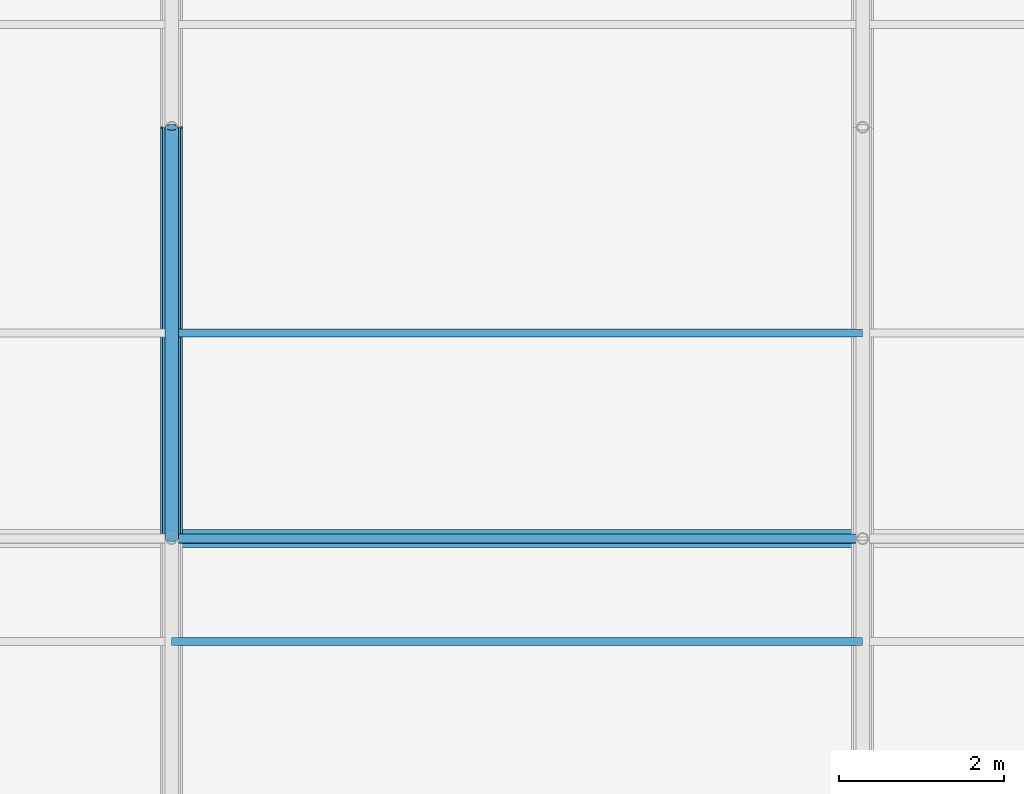
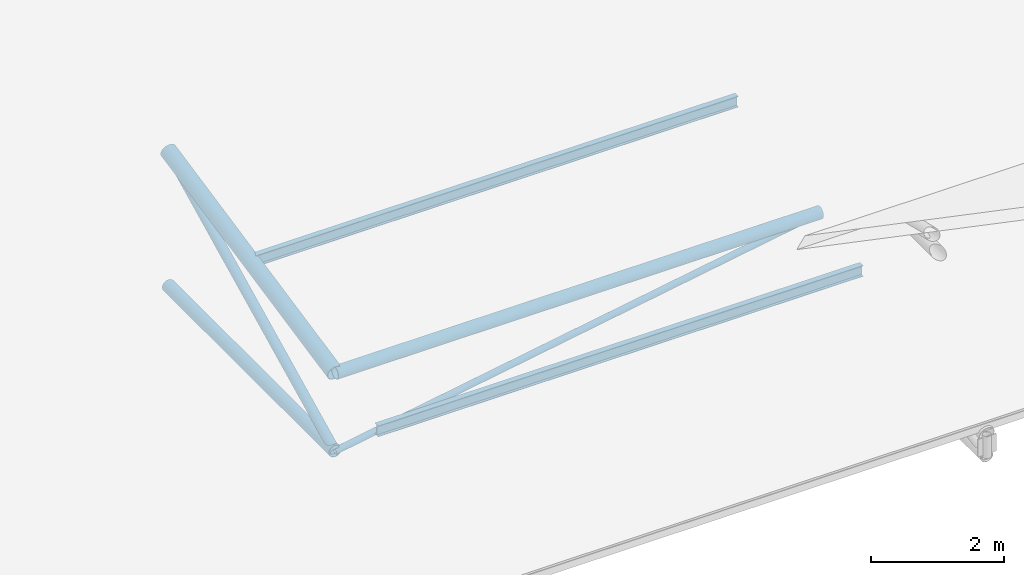
# One storey, part 72 of 194: 5 members, 2 beams.
"""IFC4 building model written with IfcOpenShell, lengths in metres."""

from ifc_helpers import new_model, si_unit, direction, frame, origin, origin_2d, place, context, subcontext, project, spatial, hollow_circle, i_section, extrude, material, material_profile, profile_set, type_object, element, save


model = new_model("IFC4")

# Units and contexts
model_context = context("Model", 3, precision=1e-05, world=origin(), true_north=direction((0.0, 1.0)))
body_context = subcontext(model_context, "Body", "Model", "MODEL_VIEW")
ifc_project = project(units=[si_unit("LENGTHUNIT", "METRE"), si_unit("AREAUNIT", "SQUARE_METRE"), si_unit("VOLUMEUNIT", "CUBIC_METRE"), si_unit("PLANEANGLEUNIT", "RADIAN"), si_unit("MASSUNIT", "GRAM", prefix="KILO")], contexts=[model_context])

# Site, building, storey
site_placement = place(None, origin())
site = spatial("IfcSite", under=ifc_project, at=site_placement, CompositionType="ELEMENT")
building_placement = place(site_placement, origin())
building = spatial("IfcBuilding", under=site, at=building_placement, Name="Kazenagashi Tramway Depot", CompositionType="ELEMENT")
storey_placement = place(building_placement, frame((0.0, 0.0, 23.7)))
storey = spatial("IfcBuildingStorey", under=building, at=storey_placement, Name="ROOF", CompositionType="ELEMENT", Elevation=23.7)

# Beams
ifc_material_1 = material(Name="Steel SN400B", Category="steel")
ifc_material_profile_1 = material_profile(ifc_material_1, i_section(OverallWidth=0.1, OverallDepth=0.2, WebThickness=0.0055, FlangeThickness=0.008, at=origin_2d()), Name="H-200x100x5.5x8")
ifc_profile_set_1 = profile_set([ifc_material_profile_1], Name="Steel SN400B")
beam_type = type_object("IfcBeamType", Name="PR-01", PredefinedType="USERDEFINED", material=ifc_profile_set_1)
for number, where, z_axis, x_axis, name in (
    (1, (154.0, 73.75, -12.955), (1.0, 0.0, 0.0), (0.0, 1.0, 0.0), "Beam PR-01 BM-2031"),
    (2, (154.0, 77.5, -12.13), (1.0, 0.0, 0.0), (0.0, 1.0, 0.0), "Beam PR-01 BM-2049"),
):
    element("IfcBeam", number, at=place(storey_placement, frame(where, z_axis=z_axis, x_axis=x_axis)), inside=storey, type_object=beam_type, Name=name, ObjectType="PURLIN", PredefinedType="USERDEFINED", context=body_context, shape_type="SweptSolid", body=[
        extrude(i_section(OverallWidth=0.1, OverallDepth=0.2, WebThickness=0.0055, FlangeThickness=0.008, at=origin_2d()), origin(), (0.0, 0.0, 1.0), 8.4),
    ])

# Members
ifc_material_2 = material(Name="Steel STK490", Category="steel")
ifc_material_profile_2 = material_profile(ifc_material_2, hollow_circle(Radius=0.1337, WallThickness=0.0093, at=origin_2d()), Name="CHS-267.4x9.3")
ifc_profile_set_2 = profile_set([ifc_material_profile_2], Name="Steel STK490")
member_type_1 = type_object("IfcMemberType", Name="TC-01", PredefinedType="CHORD", material=ifc_profile_set_2)
member_1_placement = place(storey_placement, frame((154.0, 75.0, -12.667), z_axis=(0.0, 0.979279174591, 0.202514933305), x_axis=(-1.0, 0.0, 0.0)))
element("IfcMember", 3, at=member_1_placement, inside=storey, type_object=member_type_1, Name="Tubular Space Frame TC-01 MEM-0797", PredefinedType="CHORD", context=body_context, shape_type="SweptSolid", body=[
    extrude(hollow_circle(Radius=0.1337, WallThickness=0.0093, at=origin_2d()), origin(), (0.0, 0.0, 1.0), 5.105796),
])
ifc_material_profile_3 = material_profile(ifc_material_2, hollow_circle(Radius=0.10815, WallThickness=0.0082, at=origin_2d()), Name="CHS-216.3x8.2")
ifc_profile_set_3 = profile_set([ifc_material_profile_3], Name="Steel STK490")
member_type_2 = type_object("IfcMemberType", Name="TC-02", PredefinedType="CHORD", material=ifc_profile_set_3)
member_2_placement = place(storey_placement, frame((154.0, 75.0, -14.1), z_axis=(0.0, 1.0, 0.0), x_axis=(-1.0, 0.0, 0.0)))
element("IfcMember", 4, at=member_2_placement, inside=storey, type_object=member_type_2, Name="Tubular Space Frame TC-02 MEM-0798", PredefinedType="CHORD", context=body_context, shape_type="SweptSolid", body=[
    extrude(hollow_circle(Radius=0.10815, WallThickness=0.0082, at=origin_2d()), origin(), (0.0, 0.0, 1.0), 5.0),
])
member_3_placement = place(storey_placement, frame((154.0, 75.0, -12.667), z_axis=(1.0, 0.0, 0.0), x_axis=(0.0, 1.0, 0.0)))
element("IfcMember", 5, at=member_3_placement, inside=storey, type_object=member_type_2, Name="Tubular Space Frame TC-02 MEM-0819", PredefinedType="CHORD", context=body_context, shape_type="SweptSolid", body=[
    extrude(hollow_circle(Radius=0.10815, WallThickness=0.0082, at=origin_2d()), origin(), (0.0, 0.0, 1.0), 8.4),
])
ifc_material_profile_4 = material_profile(ifc_material_2, hollow_circle(Radius=0.0826, WallThickness=0.0071, at=origin_2d()), Name="CHS-165.2x7.1")
ifc_profile_set_4 = profile_set([ifc_material_profile_4], Name="Steel STK490")
member_type_3 = type_object("IfcMemberType", Name="TS-01", PredefinedType="STRUT", material=ifc_profile_set_4)
member_4_placement = place(storey_placement, frame((154.0, 75.0, -14.1), z_axis=(0.0, 0.896782162482, 0.442472318969), x_axis=(-1.0, 0.0, 0.0)))
element("IfcMember", 6, at=member_4_placement, inside=storey, type_object=member_type_3, Name="Tubular Space Frame TS-01 MEM-0799", PredefinedType="STRUT", context=body_context, shape_type="SweptSolid", body=[
    extrude(hollow_circle(Radius=0.0826, WallThickness=0.0071, at=origin_2d()), origin(), (0.0, 0.0, 1.0), 5.57549),
])
ifc_material_3 = material(Name="Steel STK400", Category="steel")
ifc_material_profile_5 = material_profile(ifc_material_3, hollow_circle(Radius=0.05715, WallThickness=0.0045, at=origin_2d()), Name="CHS-114.3x4.5")
ifc_profile_set_5 = profile_set([ifc_material_profile_5], Name="Steel STK400")
member_type_4 = type_object("IfcMemberType", Name="TS-03", PredefinedType="STRUT", material=ifc_profile_set_5)
member_5_placement = place(storey_placement, frame((154.0, 75.0, -14.1), z_axis=(0.985758734117, 0.0, 0.168165745951), x_axis=(0.0, 1.0, 0.0)))
element("IfcMember", 7, at=member_5_placement, inside=storey, type_object=member_type_4, Name="Tubular Space Frame TS-03 MEM-0820", PredefinedType="STRUT", context=body_context, shape_type="SweptSolid", body=[
    extrude(hollow_circle(Radius=0.05715, WallThickness=0.0045, at=origin_2d()), origin(), (0.0, 0.0, 1.0), 8.521355),
])

save(model, "model.ifc")
